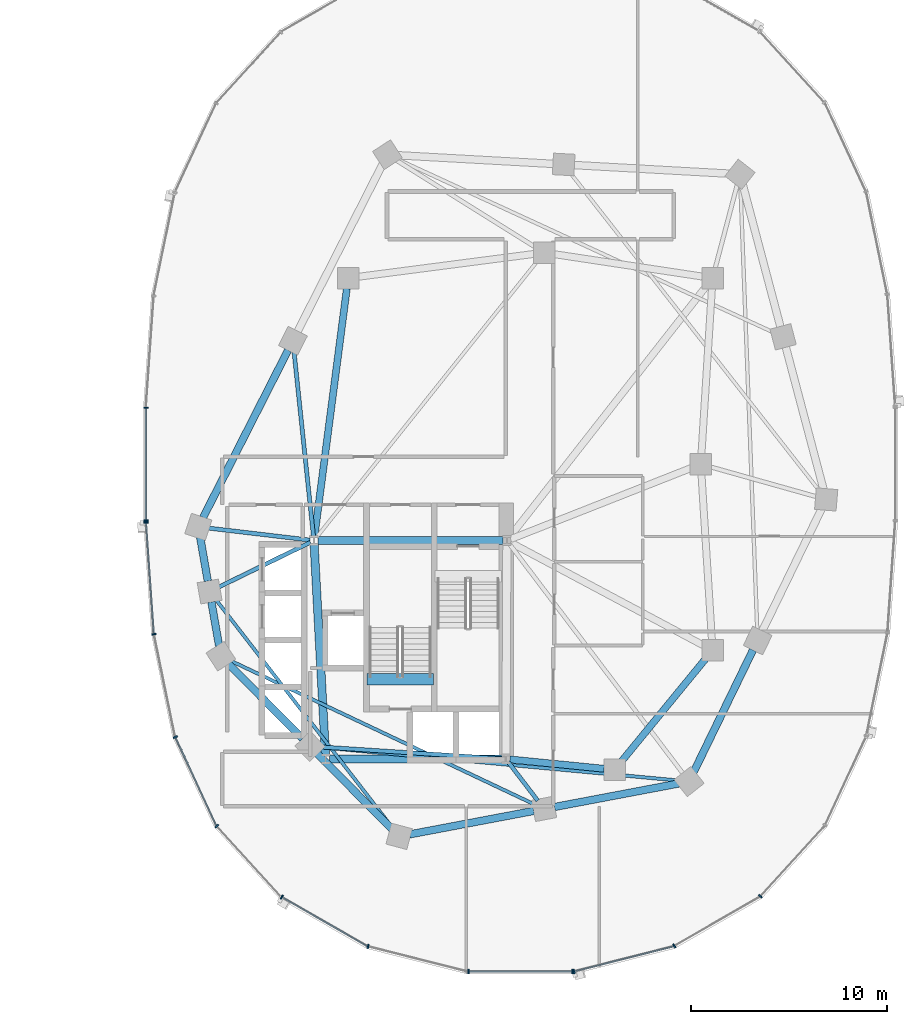
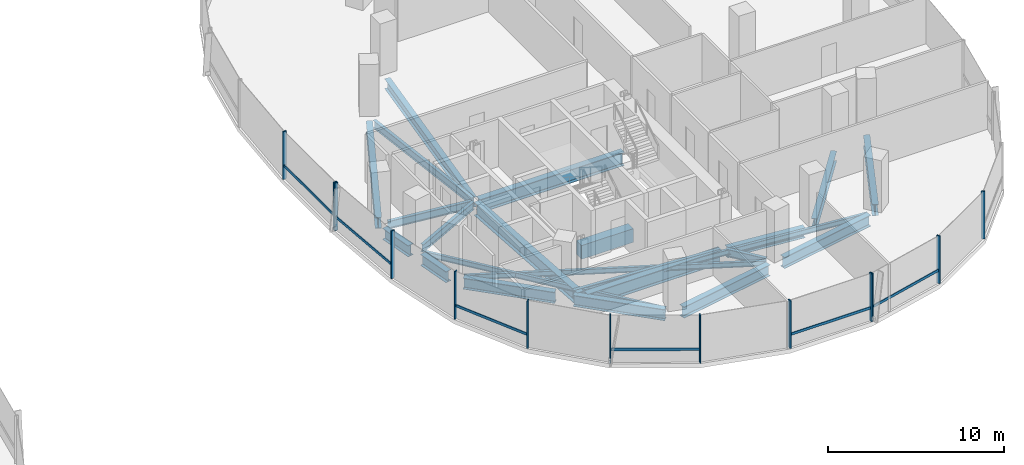
# One storey, part 5 of 21: 23 beams, 19 members, 3 elements without a shape of their own.
"""IFC4 building model written with IfcOpenShell, lengths in metres."""

from ifc_helpers import new_model, si_unit, direction, frame, origin, origin_2d, place, context, subcontext, project, spatial, rectangle, i_section, extrude, material, material_profile, profile_set, type_object, element, aggregate, save


model = new_model("IFC4")

# Units and contexts
model_context = context("Model", 3, precision=1e-05, world=origin(), true_north=direction((0.0, 1.0)))
body_context = subcontext(model_context, "Body", "Model", "MODEL_VIEW")
ifc_project = project(units=[si_unit("LENGTHUNIT", "METRE"), si_unit("AREAUNIT", "SQUARE_METRE"), si_unit("VOLUMEUNIT", "CUBIC_METRE"), si_unit("PLANEANGLEUNIT", "RADIAN"), si_unit("MASSUNIT", "GRAM", prefix="KILO"), si_unit("THERMODYNAMICTEMPERATUREUNIT", "KELVIN"), si_unit("POWERUNIT", "WATT")], contexts=[model_context])

# Site, building, storey
site_placement = place(None, origin())
site = spatial("IfcSite", under=ifc_project, at=site_placement, CompositionType="ELEMENT")
building_placement = place(site_placement, origin())
building = spatial("IfcBuilding", under=site, at=building_placement, Name="Cundina Bronze Exchange", CompositionType="ELEMENT")
storey_placement = place(building_placement, frame((0.0, 0.0, 85.39990234375)))
storey = spatial("IfcBuildingStorey", under=building, at=storey_placement, Name="L21", CompositionType="ELEMENT", Elevation=85.39990234375)

# Beams
ifc_material_1 = material(Name="Concrete C60/75", Category="concrete")
ifc_material_profile_1 = material_profile(ifc_material_1, rectangle(XDim=0.60009765625, YDim=0.949951171875, at=origin_2d()), Name="RC600X950", Category="concrete")
ifc_profile_set_1 = profile_set([ifc_material_profile_1], Name="Concrete C60/75")
beam_type_1 = type_object("IfcBeamType", Name="BM-COUP-RC950", PredefinedType="LINTEL", material=ifc_profile_set_1)
beam_1_placement = place(storey_placement, frame((24.159912109375, -10.97998046875, -0.474853515625), z_axis=(1.0, 0.0, 0.0), x_axis=(0.0, 1.0, 0.0)))
element("IfcBeam", 1, at=beam_1_placement, inside=storey, type_object=beam_type_1, Name="L21 Stair E2 Landing Header Beam", PredefinedType="LINTEL", context=body_context, shape_type="SweptSolid", body=[
    extrude(rectangle(XDim=0.60009765625, YDim=0.949951171875, at=origin_2d()), origin(), (0.0, 0.0, 1.0), 3.400146484375),
])
ifc_material_2 = material(Name="Steel ASTM A992 Grade 50", Category="steel")
ifc_material_profile_2 = material_profile(ifc_material_2, i_section(OverallWidth=0.2099609375, OverallDepth=0.532958984375, WebThickness=0.01025390625, FlangeThickness=0.015625, FilletRadius=0.013916015625, at=origin_2d()), Name="W21X62", Category="steel")
ifc_profile_set_2 = profile_set([ifc_material_profile_2], Name="Steel ASTM A992 Grade 50")
beam_type_2 = type_object("IfcBeamType", Name="BM-FLR-W21B", PredefinedType="BEAM", material=ifc_profile_set_2)
beam_2_placement = place(storey_placement, frame((21.247314453125, -3.8759765625, -0.56640625), z_axis=(-0.993035701683, 0.117813815752, 0.0), x_axis=(-0.117813815752, -0.993035701683, 0.0)))
element("IfcBeam", 2, at=beam_2_placement, inside=storey, type_object=beam_type_2, Name="L21 Leg E Chordal Floor Beam 00", PredefinedType="BEAM", context=body_context, shape_type="SweptSolid", body=[
    extrude(i_section(OverallWidth=0.2099609375, OverallDepth=0.532958984375, WebThickness=0.01025390625, FlangeThickness=0.015625, FilletRadius=0.013916015625, at=origin_2d()), origin(), (0.0, 0.0, 1.0), 5.19921875),
])
beam_3_placement = place(storey_placement, frame((21.2666015625, -3.989501953125, -0.56640625), z_axis=(-0.898607246385, -0.438753936443, 0.0), x_axis=(0.438753936443, -0.898607246385, 0.0)))
element("IfcBeam", 3, at=beam_3_placement, inside=storey, type_object=beam_type_2, Name="L21 Leg E Chordal Floor Beam 01", PredefinedType="BEAM", context=body_context, shape_type="SweptSolid", body=[
    extrude(i_section(OverallWidth=0.2099609375, OverallDepth=0.532958984375, WebThickness=0.01025390625, FlangeThickness=0.015625, FilletRadius=0.013916015625, at=origin_2d()), origin(), (0.0, 0.0, 1.0), 5.183837890625),
])
beam_4_placement = place(storey_placement, frame((31.04638671875, -15.036865234375, -0.56640625), z_axis=(-0.997892901568, 0.064882640211, 0.0), x_axis=(-0.064882640211, -0.997892901568, 0.0)))
element("IfcBeam", 4, at=beam_4_placement, inside=storey, type_object=beam_type_2, Name="L21 Leg E Chordal Floor Beam 03", PredefinedType="BEAM", context=body_context, shape_type="SweptSolid", body=[
    extrude(i_section(OverallWidth=0.2099609375, OverallDepth=0.532958984375, WebThickness=0.01025390625, FlangeThickness=0.015625, FilletRadius=0.013916015625, at=origin_2d()), origin(), (0.0, 0.0, 1.0), 9.279052734375),
])
beam_5_placement = place(storey_placement, frame((31.373779296875, -15.2119140625, -0.56640625), z_axis=(0.607490490457, -0.79432695032, 0.0), x_axis=(0.79432695032, 0.607490490457, 0.0)))
element("IfcBeam", 5, at=beam_5_placement, inside=storey, type_object=beam_type_2, Name="L21 Leg E Chordal Floor Beam 05", PredefinedType="BEAM", context=body_context, shape_type="SweptSolid", body=[
    extrude(i_section(OverallWidth=0.2099609375, OverallDepth=0.532958984375, WebThickness=0.01025390625, FlangeThickness=0.015625, FilletRadius=0.013916015625, at=origin_2d()), origin(), (0.0, 0.0, 1.0), 2.46826171875),
])
beam_6_placement = place(storey_placement, frame((21.4287109375, -3.697021484375, -0.56640625), z_axis=(-0.104822364957, 0.994490961148, 0.0), x_axis=(-0.994490961148, -0.104822364957, 0.0)))
element("IfcBeam", 6, at=beam_6_placement, inside=storey, type_object=beam_type_2, Name="L21 Leg E Chordal Floor Beam 13", PredefinedType="BEAM", context=body_context, shape_type="SweptSolid", body=[
    extrude(i_section(OverallWidth=0.2099609375, OverallDepth=0.532958984375, WebThickness=0.01025390625, FlangeThickness=0.015625, FilletRadius=0.013916015625, at=origin_2d()), origin(), (0.0, 0.0, 1.0), 9.514404296875),
])
ifc_material_profile_3 = material_profile(ifc_material_2, i_section(OverallWidth=0.172119140625, OverallDepth=0.35791015625, WebThickness=0.0078125, FlangeThickness=0.01318359375, FilletRadius=0.010009765625, at=origin_2d()), Name="W14X38", Category="steel")
ifc_profile_set_3 = profile_set([ifc_material_profile_3], Name="Steel ASTM A992 Grade 50")
beam_type_3 = type_object("IfcBeamType", Name="BM-JST-W14", PredefinedType="JOIST", material=ifc_profile_set_3)
beam_7_placement = place(storey_placement, frame((16.454345703125, -6.92529296875, -0.47900390625), z_axis=(0.612065218806, -0.790807288742, 0.0), x_axis=(0.790807288742, 0.612065218806, 0.0)))
element("IfcBeam", 7, at=beam_7_placement, inside=storey, type_object=beam_type_3, Name="L21 Leg E Lobe Floor Joist 01-04", PredefinedType="JOIST", context=body_context, shape_type="SweptSolid", body=[
    extrude(i_section(OverallWidth=0.172119140625, OverallDepth=0.35791015625, WebThickness=0.0078125, FlangeThickness=0.01318359375, FilletRadius=0.010009765625, at=origin_2d()), origin(), (0.0, 0.0, 1.0), 14.73095703125),
])
beam_8_placement = place(storey_placement, frame((17.186279296875, -10.02978515625, -0.47900390625), z_axis=(0.904069270633, -0.427385954259, 0.0), x_axis=(0.427385954259, 0.904069270633, 0.0)))
element("IfcBeam", 8, at=beam_8_placement, inside=storey, type_object=beam_type_3, Name="L21 Leg E Lobe Floor Joist 02-05", PredefinedType="JOIST", context=body_context, shape_type="SweptSolid", body=[
    extrude(i_section(OverallWidth=0.172119140625, OverallDepth=0.35791015625, WebThickness=0.0078125, FlangeThickness=0.01318359375, FilletRadius=0.010009765625, at=origin_2d()), origin(), (0.0, 0.0, 1.0), 17.175048828125),
])
beam_9_placement = place(storey_placement, frame((21.78564453125, -14.44970703125, -0.47900390625), z_axis=(0.995700674022, -0.092629194921, 0.0), x_axis=(0.092629194921, 0.995700674022, 0.0)))
element("IfcBeam", 9, at=beam_9_placement, inside=storey, type_object=beam_type_3, Name="L21 Leg E Lobe Floor Joist 03-06", PredefinedType="JOIST", context=body_context, shape_type="SweptSolid", body=[
    extrude(i_section(OverallWidth=0.172119140625, OverallDepth=0.35791015625, WebThickness=0.0078125, FlangeThickness=0.01318359375, FilletRadius=0.010009765625, at=origin_2d()), origin(), (0.0, 0.0, 1.0), 18.357421875),
])
ifc_material_profile_4 = material_profile(ifc_material_2, i_section(OverallWidth=0.35498046875, OverallDepth=0.695068359375, WebThickness=0.015380859375, FlangeThickness=0.02490234375, FilletRadius=0.01806640625, at=origin_2d()), Name="W27X146", Category="steel")
ifc_profile_set_4 = profile_set([ifc_material_profile_4], Name="Steel ASTM A992 Grade 50")
beam_type_4 = type_object("IfcBeamType", Name="BM-RING-W27", PredefinedType="USERDEFINED", material=ifc_profile_set_4)
beam_10_placement = place(storey_placement, frame((31.452880859375, -15.070068359375, -0.6474609375), z_axis=(0.995126271817, -0.098608839051, 0.0), x_axis=(0.098608839051, 0.995126271817, 0.0)))
element("IfcBeam", 10, at=beam_10_placement, inside=storey, type_object=beam_type_4, Name="L21 E Inner Structural Ring Girder 01", ObjectType="GIRDER", PredefinedType="USERDEFINED", context=body_context, shape_type="SweptSolid", body=[
    extrude(i_section(OverallWidth=0.35498046875, OverallDepth=0.695068359375, WebThickness=0.015380859375, FlangeThickness=0.02490234375, FilletRadius=0.01806640625, at=origin_2d()), origin(), (0.0, 0.0, 1.0), 4.83544921875),
])
beam_11_placement = place(storey_placement, frame((37.14111328125, -15.183837890625, -0.6474609375), z_axis=(0.633926549035, 0.773393257295, 0.0), x_axis=(-0.773393257295, 0.633926549035, 0.0)))
element("IfcBeam", 11, at=beam_11_placement, inside=storey, type_object=beam_type_4, Name="L21 E Inner Structural Ring Girder 02", ObjectType="GIRDER", PredefinedType="USERDEFINED", context=body_context, shape_type="SweptSolid", body=[
    extrude(i_section(OverallWidth=0.35498046875, OverallDepth=0.695068359375, WebThickness=0.015380859375, FlangeThickness=0.02490234375, FilletRadius=0.01806640625, at=origin_2d()), origin(), (0.0, 0.0, 1.0), 6.811279296875),
])
beam_12_placement = place(storey_placement, frame((23.13037109375, 8.966552734375, -0.6474609375), z_axis=(-0.129507526533, -0.99157843894, 0.0), x_axis=(0.99157843894, -0.129507526533, 0.0)))
element("IfcBeam", 12, at=beam_12_placement, inside=storey, type_object=beam_type_4, Name="L21 E Inner Structural Ring Girder 07", ObjectType="GIRDER", PredefinedType="USERDEFINED", context=body_context, shape_type="SweptSolid", body=[
    extrude(i_section(OverallWidth=0.35498046875, OverallDepth=0.695068359375, WebThickness=0.015380859375, FlangeThickness=0.02490234375, FilletRadius=0.01806640625, at=origin_2d()), origin(), (0.0, 0.0, 1.0), 12.77197265625),
])
ifc_material_profile_5 = material_profile(ifc_material_2, i_section(OverallWidth=0.381103515625, OverallDepth=0.77294921875, WebThickness=0.0166015625, FlangeThickness=0.027099609375, FilletRadius=0.01904296875, at=origin_2d()), Name="W30X173", Category="steel")
ifc_profile_set_5 = profile_set([ifc_material_profile_5], Name="Steel ASTM A992 Grade 50")
beam_type_5 = type_object("IfcBeamType", Name="BM-RING-W30", PredefinedType="USERDEFINED", material=ifc_profile_set_5)
for number, where, z_axis, x_axis, name in (
    (13, (15.642333984375, -3.72998046875, -0.6865234375), (0.171690078326, -0.985151012284, 0.0), (0.985151012284, 0.171690078326, 0.0), "L21 E Perimeter Ring Girder 00"),
    (14, (16.21728515625, -7.030029296875, -0.6865234375), (0.171690078326, -0.985151012284, 0.0), (0.985151012284, 0.171690078326, 0.0), "L21 E Perimeter Ring Girder 01"),
):
    element("IfcBeam", number, at=place(storey_placement, frame(where, z_axis=z_axis, x_axis=x_axis)), inside=storey, type_object=beam_type_5, Name=name, ObjectType="GIRDER", PredefinedType="USERDEFINED", context=body_context, shape_type="SweptSolid", body=[
        extrude(i_section(OverallWidth=0.381103515625, OverallDepth=0.77294921875, WebThickness=0.0166015625, FlangeThickness=0.027099609375, FilletRadius=0.01904296875, at=origin_2d()), origin(), (0.0, 0.0, 1.0), 2.273681640625),
    ])
for number, where, z_axis, x_axis, name in (
    (15, (17.078369140625, -10.1826171875, -0.6865234375), (0.703226342126, -0.7109660412, 0.0), (0.7109660412, 0.703226342126, 0.0), "L21 E Perimeter Ring Girder 02"),
    (16, (21.62841796875, -14.782470703125, -0.6865234375), (0.703226342126, -0.7109660412, 0.0), (0.7109660412, 0.703226342126, 0.0), "L21 E Perimeter Ring Girder 03"),
):
    element("IfcBeam", number, at=place(storey_placement, frame(where, z_axis=z_axis, x_axis=x_axis)), inside=storey, type_object=beam_type_5, Name=name, ObjectType="GIRDER", PredefinedType="USERDEFINED", context=body_context, shape_type="SweptSolid", body=[
        extrude(i_section(OverallWidth=0.381103515625, OverallDepth=0.77294921875, WebThickness=0.0166015625, FlangeThickness=0.027099609375, FilletRadius=0.01904296875, at=origin_2d()), origin(), (0.0, 0.0, 1.0), 5.39404296875),
    ])
for number, where, z_axis, x_axis, name in (
    (17, (26.32861328125, -18.89990234375, -0.6865234375), (0.98257117919, 0.185886733861, 0.0), (-0.185886733861, 0.98257117919, 0.0), "L21 E Perimeter Ring Girder 04"),
    (18, (33.728515625, -17.5, -0.6865234375), (0.98257117919, 0.185886733861, 0.0), (-0.185886733861, 0.98257117919, 0.0), "L21 E Perimeter Ring Girder 05"),
):
    element("IfcBeam", number, at=place(storey_placement, frame(where, z_axis=z_axis, x_axis=x_axis)), inside=storey, type_object=beam_type_5, Name=name, ObjectType="GIRDER", PredefinedType="USERDEFINED", context=body_context, shape_type="SweptSolid", body=[
        extrude(i_section(OverallWidth=0.381103515625, OverallDepth=0.77294921875, WebThickness=0.0166015625, FlangeThickness=0.027099609375, FilletRadius=0.01904296875, at=origin_2d()), origin(), (0.0, 0.0, 1.0), 6.455322265625),
    ])
beam_13_placement = place(storey_placement, frame((40.835205078125, -15.716064453125, -0.6865234375), z_axis=(0.437193894283, 0.899367276924, 0.0), x_axis=(-0.899367276924, 0.437193894283, 0.0)))
element("IfcBeam", 19, at=beam_13_placement, inside=storey, type_object=beam_type_5, Name="L21 E Perimeter Ring Girder 06", ObjectType="GIRDER", PredefinedType="USERDEFINED", context=body_context, shape_type="SweptSolid", body=[
    extrude(i_section(OverallWidth=0.381103515625, OverallDepth=0.77294921875, WebThickness=0.0166015625, FlangeThickness=0.027099609375, FilletRadius=0.01904296875, at=origin_2d()), origin(), (0.0, 0.0, 1.0), 6.929443359375),
])
beam_14_placement = place(storey_placement, frame((20.13134765625, 5.8203125, -0.6865234375), z_axis=(-0.452832332744, -0.891595692241, 0.0), x_axis=(0.891595692241, -0.452832332744, 0.0)))
element("IfcBeam", 20, at=beam_14_placement, inside=storey, type_object=beam_type_5, Name="L21 E Perimeter Ring Girder 13", ObjectType="GIRDER", PredefinedType="USERDEFINED", context=body_context, shape_type="SweptSolid", body=[
    extrude(i_section(OverallWidth=0.381103515625, OverallDepth=0.77294921875, WebThickness=0.0166015625, FlangeThickness=0.027099609375, FilletRadius=0.01904296875, at=origin_2d()), origin(), (0.0, 0.0, 1.0), 9.578857421875),
])
ifc_material_profile_6 = material_profile(ifc_material_2, i_section(OverallWidth=0.41796875, OverallDepth=0.927001953125, WebThickness=0.019287109375, FlangeThickness=0.031982421875, FilletRadius=0.02392578125, at=origin_2d()), Name="W36X231", Category="steel")
ifc_profile_set_6 = profile_set([ifc_material_profile_6], Name="Steel ASTM A992 Grade 50")
beam_type_6 = type_object("IfcBeamType", Name="BM-WRN-W36B", PredefinedType="USERDEFINED", material=ifc_profile_set_6)
beam_15_placement = place(storey_placement, frame((31.095947265625, -3.89990234375, -0.763427734375), z_axis=(-1.0, 0.0, 0.0), x_axis=(0.0, -1.0, 0.0)))
element("IfcBeam", 21, at=beam_15_placement, inside=storey, type_object=beam_type_6, Name="L21 E Core Perimeter Tie Girder 1", ObjectType="GIRDER", PredefinedType="USERDEFINED", context=body_context, shape_type="SweptSolid", body=[
    extrude(i_section(OverallWidth=0.41796875, OverallDepth=0.927001953125, WebThickness=0.019287109375, FlangeThickness=0.031982421875, FilletRadius=0.02392578125, at=origin_2d()), origin(), (0.0, 0.0, 1.0), 9.44189453125),
])
beam_16_placement = place(storey_placement, frame((21.4609375, -4.103759765625, -0.763427734375), z_axis=(0.053739193498, -0.998555005537, 0.0), x_axis=(0.998555005537, 0.053739193498, 0.0)))
element("IfcBeam", 22, at=beam_16_placement, inside=storey, type_object=beam_type_6, Name="L21 E Core Perimeter Tie Girder 2", ObjectType="GIRDER", PredefinedType="USERDEFINED", context=body_context, shape_type="SweptSolid", body=[
    extrude(i_section(OverallWidth=0.41796875, OverallDepth=0.927001953125, WebThickness=0.019287109375, FlangeThickness=0.031982421875, FilletRadius=0.02392578125, at=origin_2d()), origin(), (0.0, 0.0, 1.0), 10.758056640625),
])
beam_17_placement = place(storey_placement, frame((22.25390625, -15.050048828125, -0.763427734375), z_axis=(1.0, 0.0, 0.0), x_axis=(0.0, 1.0, 0.0)))
element("IfcBeam", 23, at=beam_17_placement, inside=storey, type_object=beam_type_6, Name="L21 E Core Perimeter Tie Girder 3", ObjectType="GIRDER", PredefinedType="USERDEFINED", context=body_context, shape_type="SweptSolid", body=[
    extrude(i_section(OverallWidth=0.41796875, OverallDepth=0.927001953125, WebThickness=0.019287109375, FlangeThickness=0.031982421875, FilletRadius=0.02392578125, at=origin_2d()), origin(), (0.0, 0.0, 1.0), 8.7919921875),
])

# Curtain wall, members
ifc_material_3 = material(Name="Anodised Bronze Aluminium 6063-T6", Category="aluminium")
curtain_wall_type = type_object("IfcCurtainWallType", Name="CWS-TRD-MID", PredefinedType="NOTDEFINED", material=ifc_material_3)
curtain_wall_1_placement = place(storey_placement, origin())
curtain_wall_1 = element("IfcCurtainWall", 24, at=curtain_wall_1_placement, inside=storey, type_object=curtain_wall_type, Name="L21 CW-03 Curtain Wall Run CWR-L21-E2", PredefinedType="NOTDEFINED")
ifc_material_profile_7 = material_profile(ifc_material_3, rectangle(XDim=0.074951171875, YDim=0.219970703125, at=origin_2d()), Name="AL75X220", Category="aluminium")
ifc_profile_set_7 = profile_set([ifc_material_profile_7], Name="Anodised Bronze Aluminium 6063-T6")
member_type_1 = type_object("IfcMemberType", Name="CWM-MUL-220", PredefinedType="MULLION", material=ifc_profile_set_7)
member_1_placement = place(storey_placement, frame((12.8720703125, 2.880615234375, 0.0), z_axis=(0.0, 0.0, 1.0), x_axis=(0.0, -1.0, 0.0)))
member_1 = element("IfcMember", 25, at=member_1_placement, type_object=member_type_1, Name="CW-03 Mullion 7", PredefinedType="MULLION", context=body_context, shape_type="SweptSolid", body=[
    extrude(rectangle(XDim=0.074951171875, YDim=0.219970703125, at=origin_2d()), origin(), (0.0, 0.0, 1.0), 3.300048828125),
])
member_2_placement = place(storey_placement, frame((12.8720703125, -2.880615234375, 0.0), z_axis=(0.0, 0.0, 1.0), x_axis=(0.0, -1.0, 0.0)))
member_2 = element("IfcMember", 26, at=member_2_placement, type_object=member_type_1, Name="CW-03 End Mullion", PredefinedType="MULLION", context=body_context, shape_type="SweptSolid", body=[
    extrude(rectangle(XDim=0.074951171875, YDim=0.219970703125, at=origin_2d()), origin(), (0.0, 0.0, 1.0), 3.300048828125),
])

curtain_wall_2_placement = place(storey_placement, origin())
curtain_wall_2 = element("IfcCurtainWall", 27, at=curtain_wall_2_placement, inside=storey, type_object=curtain_wall_type, Name="L21 CW-03 Curtain Wall Run CWR-L21-E3", PredefinedType="NOTDEFINED")
member_3_placement = place(storey_placement, frame((12.87548828125, -2.976318359375, 0.0), z_axis=(0.0, 0.0, 1.0), x_axis=(0.070278787473, -0.997527389113, 0.0)))
member_3 = element("IfcMember", 28, at=member_3_placement, type_object=member_type_1, Name="CW-03 Mullion 1", PredefinedType="MULLION", context=body_context, shape_type="SweptSolid", body=[
    extrude(rectangle(XDim=0.074951171875, YDim=0.219970703125, at=origin_2d()), origin(), (0.0, 0.0, 1.0), 3.300048828125),
])
member_4_placement = place(storey_placement, frame((13.282958984375, -8.67822265625, 0.0), z_axis=(0.0, 0.0, 1.0), x_axis=(0.201419845156, -0.979505000486, 0.0)))
member_4 = element("IfcMember", 29, at=member_4_placement, type_object=member_type_1, Name="CW-03 Mullion 2", PredefinedType="MULLION", context=body_context, shape_type="SweptSolid", body=[
    extrude(rectangle(XDim=0.074951171875, YDim=0.219970703125, at=origin_2d()), origin(), (0.0, 0.0, 1.0), 3.300048828125),
])
member_5_placement = place(storey_placement, frame((14.3720703125, -13.931884765625, 0.0), z_axis=(0.0, 0.0, 1.0), x_axis=(0.42087749791, -0.907117485088, 0.0)))
member_5 = element("IfcMember", 30, at=member_5_placement, type_object=member_type_1, Name="CW-03 Mullion 3", PredefinedType="MULLION", context=body_context, shape_type="SweptSolid", body=[
    extrude(rectangle(XDim=0.074951171875, YDim=0.219970703125, at=origin_2d()), origin(), (0.0, 0.0, 1.0), 3.300048828125),
])
member_6_placement = place(storey_placement, frame((16.491455078125, -18.47705078125, 0.0), z_axis=(0.0, 0.0, 1.0), x_axis=(0.674302387584, -0.738455340626, 0.0)))
member_6 = element("IfcMember", 31, at=member_6_placement, type_object=member_type_1, Name="CW-03 Mullion 4", PredefinedType="MULLION", context=body_context, shape_type="SweptSolid", body=[
    extrude(rectangle(XDim=0.074951171875, YDim=0.219970703125, at=origin_2d()), origin(), (0.0, 0.0, 1.0), 3.300048828125),
])
member_7_placement = place(storey_placement, frame((19.810302734375, -22.097412109375, 0.0), z_axis=(0.0, 0.0, 1.0), x_axis=(0.867070701164, -0.498185105339, 0.0)))
member_7 = element("IfcMember", 32, at=member_7_placement, type_object=member_type_1, Name="CW-03 Mullion 5", PredefinedType="MULLION", context=body_context, shape_type="SweptSolid", body=[
    extrude(rectangle(XDim=0.074951171875, YDim=0.219970703125, at=origin_2d()), origin(), (0.0, 0.0, 1.0), 3.300048828125),
])
member_8_placement = place(storey_placement, frame((24.21484375, -24.61669921875, 0.0), z_axis=(0.0, 0.0, 1.0), x_axis=(0.969488149345, -0.245138182011, 0.0)))
member_8 = element("IfcMember", 33, at=member_8_placement, type_object=member_type_1, Name="CW-03 Mullion 6", PredefinedType="MULLION", context=body_context, shape_type="SweptSolid", body=[
    extrude(rectangle(XDim=0.074951171875, YDim=0.219970703125, at=origin_2d()), origin(), (0.0, 0.0, 1.0), 3.300048828125),
])
member_9_placement = place(storey_placement, frame((29.345458984375, -25.905029296875, 0.0), z_axis=(0.0, 0.0, 1.0), x_axis=(1.0, 0.0, 0.0)))
member_9 = element("IfcMember", 34, at=member_9_placement, type_object=member_type_1, Name="CW-03 Mullion 7", PredefinedType="MULLION", context=body_context, shape_type="SweptSolid", body=[
    extrude(rectangle(XDim=0.074951171875, YDim=0.219970703125, at=origin_2d()), origin(), (0.0, 0.0, 1.0), 3.300048828125),
])
member_10_placement = place(storey_placement, frame((34.654541015625, -25.905029296875, 0.0), z_axis=(0.0, 0.0, 1.0), x_axis=(1.0, 0.0, 0.0)))
member_10 = element("IfcMember", 35, at=member_10_placement, type_object=member_type_1, Name="CW-03 End Mullion", PredefinedType="MULLION", context=body_context, shape_type="SweptSolid", body=[
    extrude(rectangle(XDim=0.074951171875, YDim=0.219970703125, at=origin_2d()), origin(), (0.0, 0.0, 1.0), 3.300048828125),
])

curtain_wall_3_placement = place(storey_placement, origin())
curtain_wall_3 = element("IfcCurtainWall", 36, at=curtain_wall_3_placement, inside=storey, type_object=curtain_wall_type, Name="L21 CW-03 Curtain Wall Run CWR-L21-E4", PredefinedType="NOTDEFINED")
member_11_placement = place(storey_placement, frame((34.72607421875, -25.89599609375, 0.0), z_axis=(0.0, 0.0, 1.0), x_axis=(0.969488149345, 0.245138182011, 0.0)))
member_11 = element("IfcMember", 37, at=member_11_placement, type_object=member_type_1, Name="CW-03 Mullion 1", PredefinedType="MULLION", context=body_context, shape_type="SweptSolid", body=[
    extrude(rectangle(XDim=0.074951171875, YDim=0.219970703125, at=origin_2d()), origin(), (0.0, 0.0, 1.0), 3.300048828125),
])
member_12_placement = place(storey_placement, frame((39.848876953125, -24.591064453125, 0.0), z_axis=(0.0, 0.0, 1.0), x_axis=(0.867070701164, 0.498185105339, 0.0)))
member_12 = element("IfcMember", 38, at=member_12_placement, type_object=member_type_1, Name="CW-03 Mullion 2", PredefinedType="MULLION", context=body_context, shape_type="SweptSolid", body=[
    extrude(rectangle(XDim=0.074951171875, YDim=0.219970703125, at=origin_2d()), origin(), (0.0, 0.0, 1.0), 3.300048828125),
])
member_13_placement = place(storey_placement, frame((44.239501953125, -22.0576171875, 0.0), z_axis=(0.0, 0.0, 1.0), x_axis=(0.674302387584, 0.738455340626, 0.0)))
member_13 = element("IfcMember", 39, at=member_13_placement, type_object=member_type_1, Name="CW-03 Mullion 3", PredefinedType="MULLION", context=body_context, shape_type="SweptSolid", body=[
    extrude(rectangle(XDim=0.074951171875, YDim=0.219970703125, at=origin_2d()), origin(), (0.0, 0.0, 1.0), 3.300048828125),
])

# Member
ifc_material_profile_8 = material_profile(ifc_material_3, rectangle(XDim=0.070068359375, YDim=0.179931640625, at=origin_2d()), Name="AL70X180", Category="aluminium")
ifc_profile_set_8 = profile_set([ifc_material_profile_8], Name="Anodised Bronze Aluminium 6063-T6")
member_type_2 = type_object("IfcMemberType", Name="CWM-TRN-180", PredefinedType="USERDEFINED", material=ifc_profile_set_8)
member_14_placement = place(storey_placement, frame((12.8720703125, 2.839111328125, 0.920166015625), z_axis=(0.0, -1.0, 0.0), x_axis=(1.0, 0.0, 0.0)))
member_14 = element("IfcMember", 40, at=member_14_placement, type_object=member_type_2, Name="CW-03 Spandrel Transom 7", ObjectType="TRANSOM", PredefinedType="USERDEFINED", context=body_context, shape_type="SweptSolid", body=[
    extrude(rectangle(XDim=0.070068359375, YDim=0.179931640625, at=origin_2d()), origin(), (0.0, 0.0, 1.0), 5.67822265625),
])

aggregate(curtain_wall_1, [member_1, member_2, member_14])

member_15_placement = place(storey_placement, frame((12.87841796875, -3.017333984375, 0.920166015625), z_axis=(0.070260714471, -0.997528662246, 0.0), x_axis=(0.997528662246, 0.070260714471, 0.0)))
member_15 = element("IfcMember", 41, at=member_15_placement, type_object=member_type_2, Name="CW-03 Spandrel Transom 1", ObjectType="TRANSOM", PredefinedType="USERDEFINED", context=body_context, shape_type="SweptSolid", body=[
    extrude(rectangle(XDim=0.070068359375, YDim=0.179931640625, at=origin_2d()), origin(), (0.0, 0.0, 1.0), 5.629150390625),
])

member_16_placement = place(storey_placement, frame((14.389404296875, -13.96923828125, 0.920166015625), z_axis=(0.420811422796, -0.907148139195, 0.0), x_axis=(0.907148139195, 0.420811422796, 0.0)))
member_16 = element("IfcMember", 42, at=member_16_placement, type_object=member_type_2, Name="CW-03 Spandrel Transom 3", ObjectType="TRANSOM", PredefinedType="USERDEFINED", context=body_context, shape_type="SweptSolid", body=[
    extrude(rectangle(XDim=0.070068359375, YDim=0.179931640625, at=origin_2d()), origin(), (0.0, 0.0, 1.0), 4.95166015625),
])

member_17_placement = place(storey_placement, frame((19.845947265625, -22.117919921875, 0.920166015625), z_axis=(0.867097475651, -0.498138502546, 0.0), x_axis=(0.498138502546, 0.867097475651, 0.0)))
member_17 = element("IfcMember", 43, at=member_17_placement, type_object=member_type_2, Name="CW-03 Spandrel Transom 5", ObjectType="TRANSOM", PredefinedType="USERDEFINED", context=body_context, shape_type="SweptSolid", body=[
    extrude(rectangle(XDim=0.070068359375, YDim=0.179931640625, at=origin_2d()), origin(), (0.0, 0.0, 1.0), 5.00634765625),
])

member_18_placement = place(storey_placement, frame((29.38671875, -25.905029296875, 0.920166015625), z_axis=(1.0, 0.0, 0.0), x_axis=(0.0, 1.0, 0.0)))
member_18 = element("IfcMember", 44, at=member_18_placement, type_object=member_type_2, Name="CW-03 Spandrel Transom 7", ObjectType="TRANSOM", PredefinedType="USERDEFINED", context=body_context, shape_type="SweptSolid", body=[
    extrude(rectangle(XDim=0.070068359375, YDim=0.179931640625, at=origin_2d()), origin(), (0.0, 0.0, 1.0), 5.2265625),
])

aggregate(curtain_wall_2, [member_3, member_15, member_4, member_5, member_16, member_6, member_7, member_17, member_8, member_9, member_10, member_18])

member_19_placement = place(storey_placement, frame((34.76611328125, -25.885986328125, 0.920166015625), z_axis=(0.969483968866, 0.245154714644, 0.0), x_axis=(-0.245154714644, 0.969483968866, 0.0)))
member_19 = element("IfcMember", 45, at=member_19_placement, type_object=member_type_2, Name="CW-03 Spandrel Transom 1", ObjectType="TRANSOM", PredefinedType="USERDEFINED", context=body_context, shape_type="SweptSolid", body=[
    extrude(rectangle(XDim=0.070068359375, YDim=0.179931640625, at=origin_2d()), origin(), (0.0, 0.0, 1.0), 5.21826171875),
])

aggregate(curtain_wall_3, [member_11, member_19, member_12, member_13])

save(model, "model.ifc")
